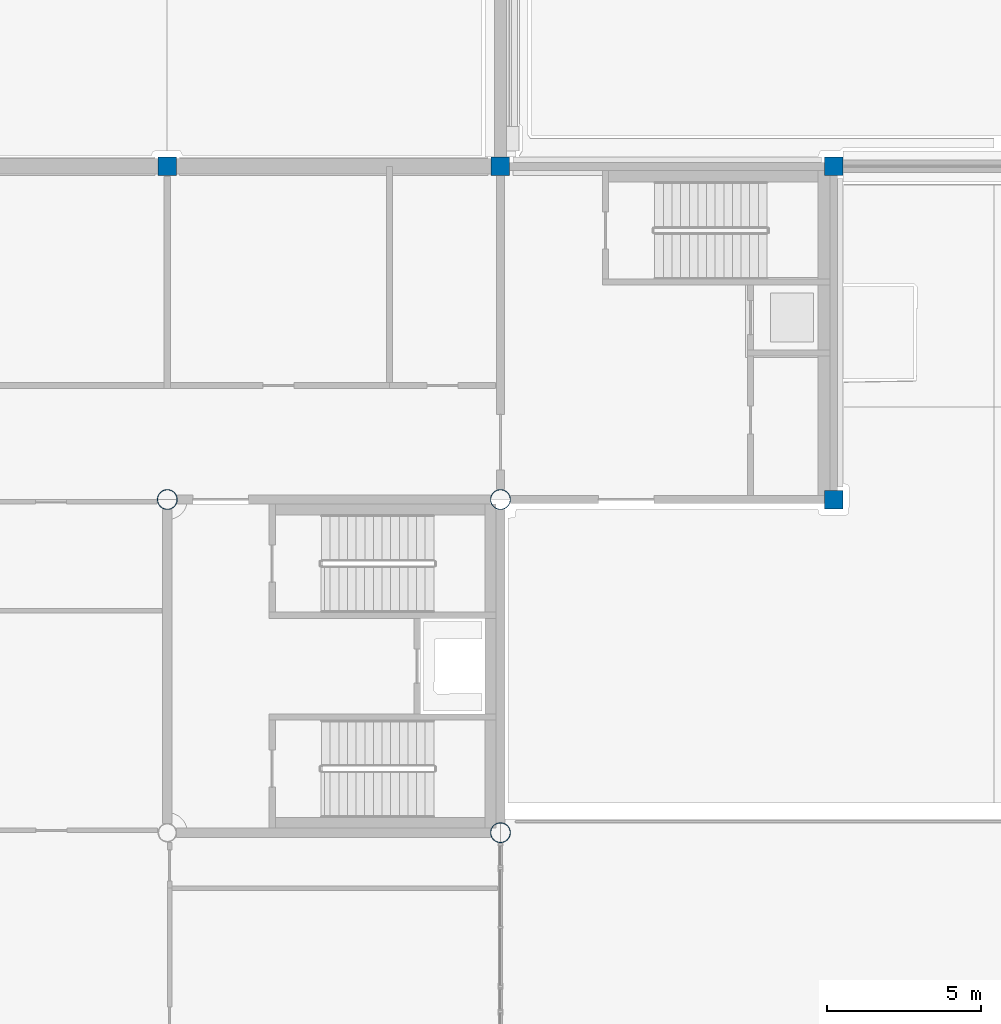
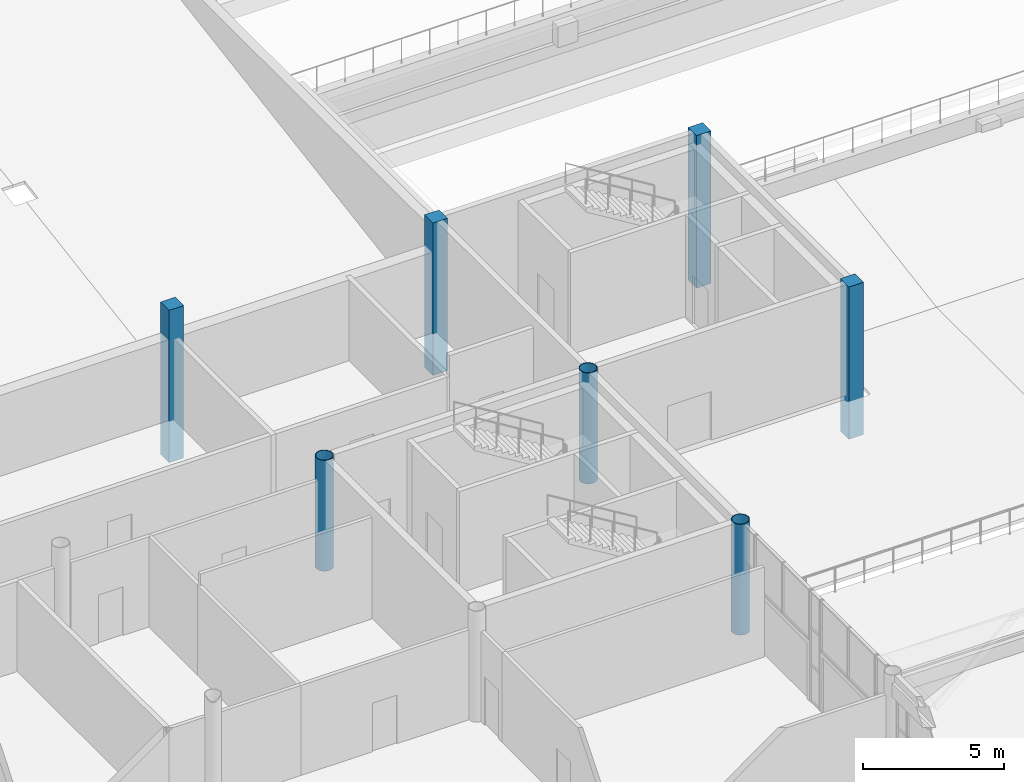
# One storey, part 8 of 91: 7 columns.
"""IFC4 building model written with IfcOpenShell, lengths in metres."""

from ifc_helpers import new_model, si_unit, direction, frame, origin, origin_2d, place, context, subcontext, project, spatial, rectangle, hollow_circle, extrude, material, material_profile, profile_set, type_object, element, save


model = new_model("IFC4")

# Units and contexts
model_context = context("Model", 3, precision=1e-05, world=origin(), true_north=direction((0.0, 1.0)))
body_context = subcontext(model_context, "Body", "Model", "MODEL_VIEW")
ifc_project = project(units=[si_unit("LENGTHUNIT", "METRE"), si_unit("AREAUNIT", "SQUARE_METRE"), si_unit("VOLUMEUNIT", "CUBIC_METRE"), si_unit("PLANEANGLEUNIT", "RADIAN"), si_unit("MASSUNIT", "GRAM", prefix="KILO")], contexts=[model_context])

# Site, building, storey
site_placement = place(None, origin())
site = spatial("IfcSite", under=ifc_project, at=site_placement, CompositionType="ELEMENT")
building_placement = place(site_placement, origin())
building = spatial("IfcBuilding", under=site, at=building_placement, Name="Magnolia Steps Interchange", CompositionType="ELEMENT")
storey_placement = place(building_placement, origin())
storey = spatial("IfcBuildingStorey", under=building, at=storey_placement, Name="L00", CompositionType="ELEMENT", Elevation=0.0)

# Columns
ifc_material_1 = material(Name="Concrete C40", Category="concrete")
ifc_material_profile_1 = material_profile(ifc_material_1, rectangle(XDim=0.60009765625, YDim=0.60009765625, at=origin_2d()), Name="RC600x600")
ifc_profile_set_1 = profile_set([ifc_material_profile_1], Name="Concrete C40")
column_type_1 = type_object("IfcColumnType", Name="RC column 600x600", PredefinedType="COLUMN", material=ifc_profile_set_1)
for number, where, z_axis, x_axis, name in (
    (1, (107.199951171875, 96.39990234375, -1.800048828125), (0.0, 0.0, 1.0), (1.0, 0.0, 0.0), "Column CON-10I L00"),
    (2, (118.0, 96.39990234375, -1.800048828125), (0.0, 0.0, 1.0), (1.0, 0.0, 0.0), "Column CON-11I L00"),
    (3, (128.800048828125, 85.60009765625, -1.800048828125), (0.0, 0.0, 1.0), (1.0, 0.0, 0.0), "Column CON-12H L00"),
    (4, (128.800048828125, 96.39990234375, -1.800048828125), (0.0, 0.0, 1.0), (1.0, 0.0, 0.0), "Column CON-12I L00"),
):
    element("IfcColumn", number, at=place(storey_placement, frame(where, z_axis=z_axis, x_axis=x_axis)), inside=storey, type_object=column_type_1, Name=name, PredefinedType="COLUMN", context=body_context, shape_type="SweptSolid", body=[
        extrude(rectangle(XDim=0.60009765625, YDim=0.60009765625, at=origin_2d()), origin(), (0.0, 0.0, 1.0), 6.60009765625),
    ])
ifc_material_2 = material(Name="Steel Q355B", Category="steel")
ifc_material_profile_2 = material_profile(ifc_material_2, hollow_circle(Radius=0.330078125, WallThickness=0.02490234375, at=origin_2d()), Name="CHS660x25")
ifc_profile_set_2 = profile_set([ifc_material_profile_2], Name="Steel Q355B")
column_type_2 = type_object("IfcColumnType", Name="Tree trunk CHS660x25", PredefinedType="COLUMN", material=ifc_profile_set_2)
for number, where, z_axis, x_axis, name in (
    (5, (107.199951171875, 85.60009765625, 0.0), (0.0, 0.0, 1.0), (1.0, 0.0, 0.0), "Tree trunk TH06E"),
    (6, (118.0, 74.800048828125, 0.0), (0.0, 0.0, 1.0), (1.0, 0.0, 0.0), "Tree trunk TH07D"),
    (7, (118.0, 85.60009765625, 0.0), (0.0, 0.0, 1.0), (1.0, 0.0, 0.0), "Tree trunk TH07E"),
):
    element("IfcColumn", number, at=place(storey_placement, frame(where, z_axis=z_axis, x_axis=x_axis)), inside=storey, type_object=column_type_2, Name=name, PredefinedType="COLUMN", context=body_context, shape_type="SweptSolid", body=[
        extrude(hollow_circle(Radius=0.330078125, WallThickness=0.02490234375, at=origin_2d()), origin(), (0.0, 0.0, 1.0), 4.800048828125),
    ])

save(model, "model.ifc")
